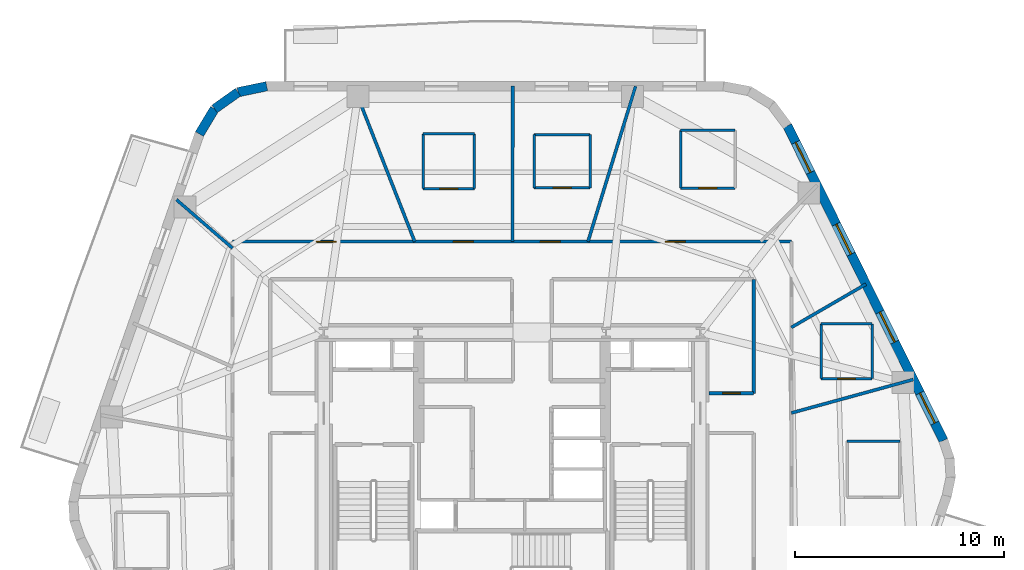
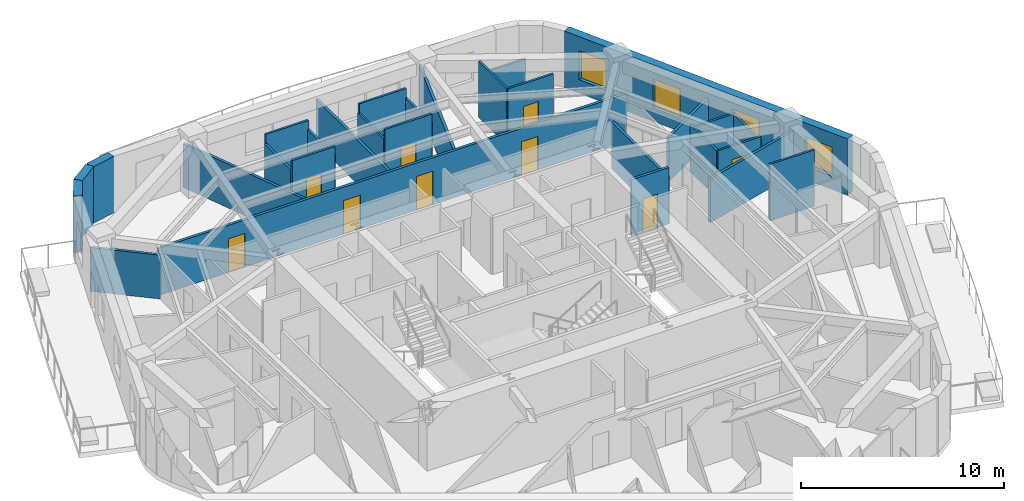
# One storey, part 6 of 11: 29 walls, 9 doors, 4 windows, 13 openings.
"""IFC4 building model written with IfcOpenShell, lengths in metres."""

from ifc_helpers import new_model, si_unit, direction, frame, frame_2d, origin, place, context, subcontext, project, spatial, rectangle, extrude, material, layer, layer_set, type_object, element, fill, save


model = new_model("IFC4")

# Units and contexts
model_context = context("Model", 3, precision=1e-05, world=origin(), true_north=direction((0.0, 1.0)))
body_context = subcontext(model_context, "Body", "Model", "MODEL_VIEW")
ifc_project = project(units=[si_unit("LENGTHUNIT", "METRE"), si_unit("AREAUNIT", "SQUARE_METRE"), si_unit("VOLUMEUNIT", "CUBIC_METRE"), si_unit("PLANEANGLEUNIT", "RADIAN"), si_unit("MASSUNIT", "GRAM", prefix="KILO")], contexts=[model_context])

# Site, building, storey
site_placement = place(None, origin())
site = spatial("IfcSite", under=ifc_project, at=site_placement, CompositionType="ELEMENT")
building_placement = place(site_placement, origin())
building = spatial("IfcBuilding", under=site, at=building_placement, Name="Kilnhurst Terrace Hotel", CompositionType="ELEMENT")
storey_placement = place(building_placement, frame((0.0, 0.0, 159.10009765625)))
storey = spatial("IfcBuildingStorey", under=building, at=storey_placement, Name="L39", CompositionType="ELEMENT", Elevation=159.10009765625)

# Walls
ifc_material_1 = material(Name="Precast concrete C40/50", Category="concrete")
ifc_layer_1 = layer(ifc_material_1, 0.449951171875, Name="Precast concrete C40/50")
ifc_layer_set_1 = layer_set([ifc_layer_1], Name="Precast concrete C40/50")
wall_type_1 = type_object("IfcWallType", Name="WL-BRK-450", PredefinedType="SOLIDWALL", material=ifc_layer_set_1)
wall_1_placement = place(storey_placement, frame((-11.720458984375, 19.27490234375, 0.0), z_axis=(0.0, 0.0, 1.0), x_axis=(-0.97893106758, -0.204191001093, 0.0)))
element("IfcWall", 1, at=wall_1_placement, inside=storey, type_object=wall_type_1, Name="L39 Rounded Corner Brick Wall C5.1", PredefinedType="SOLIDWALL", context=body_context, shape_type="SweptSolid", body=[
    extrude(rectangle(XDim=1.400146484375, YDim=0.449951171875, at=frame_2d((0.7001953125, 0.0))), origin(), (0.0, 0.0, 1.0), 3.39990234375),
])
wall_2_placement = place(storey_placement, frame((-13.091064453125, 18.989013671875, 0.0), z_axis=(0.0, 0.0, 1.0), x_axis=(-0.815574637848, -0.578651890258, 0.0)))
element("IfcWall", 2, at=wall_2_placement, inside=storey, type_object=wall_type_1, Name="L39 Rounded Corner Brick Wall C5.2", PredefinedType="SOLIDWALL", context=body_context, shape_type="SweptSolid", body=[
    extrude(rectangle(XDim=1.376708984375, YDim=0.449951171875, at=frame_2d((0.6884765625, 0.0))), origin(), (0.0, 0.0, 1.0), 3.39990234375),
])
wall_3_placement = place(storey_placement, frame((-14.2138671875, 18.1923828125, 0.0), z_axis=(0.0, 0.0, 1.0), x_axis=(-0.516340945502, -0.856383108193, 0.0)))
element("IfcWall", 3, at=wall_3_placement, inside=storey, type_object=wall_type_1, Name="L39 Rounded Corner Brick Wall C5.3", PredefinedType="SOLIDWALL", context=body_context, shape_type="SweptSolid", body=[
    extrude(rectangle(XDim=1.400146484375, YDim=0.449951171875, at=frame_2d((0.7001953125, 0.0))), origin(), (0.0, 0.0, 1.0), 3.39990234375),
])

# Wall, openings, windows
wall_4_placement = place(storey_placement, frame((20.618408203125, 2.343994140625, 0.0), z_axis=(0.0, 0.0, 1.0), x_axis=(-0.444243691097, 0.895905990002, 0.0)))
wall_4 = element("IfcWall", 4, at=wall_4_placement, inside=storey, type_object=wall_type_1, Name="L39 Exterior Brick Facade Wall F3", PredefinedType="SOLIDWALL", context=body_context, shape_type="SweptSolid", body=[
    extrude(rectangle(XDim=16.78369140625, YDim=0.449951171875, at=frame_2d((8.391845703125, 0.0))), origin(), (0.0, 0.0, 1.0), 3.39990234375),
])
opening_1_placement = place(wall_4_placement, frame((5.2451171875, 0.0, 0.800048828125)))
opening_1 = element("IfcOpeningElement", 5, at=opening_1_placement, cuts=wall_4, Name="Opening W-05", PredefinedType="OPENING", context=body_context, shape_type="SweptSolid", body=[
    extrude(rectangle(XDim=1.60009765625, YDim=1.75, at=frame_2d((0.800048828125, 0.875))), frame((0.0, 0.23486328125, 0.0), z_axis=(0.0, -1.0, 0.0), x_axis=(1.0, 0.0, 0.0)), (0.0, 0.0, 1.0), 0.469970703125),
])
opening_2_placement = place(wall_4_placement, frame((9.93603515625, 0.0, 0.800048828125)))
opening_2 = element("IfcOpeningElement", 6, at=opening_2_placement, cuts=wall_4, Name="Opening W-05", PredefinedType="OPENING", context=body_context, shape_type="SweptSolid", body=[
    extrude(rectangle(XDim=1.60009765625, YDim=1.75, at=frame_2d((0.800048828125, 0.875))), frame((0.0, 0.23486328125, 0.0), z_axis=(0.0, -1.0, 0.0), x_axis=(1.0, 0.0, 0.0)), (0.0, 0.0, 1.0), 0.469970703125),
])
opening_3_placement = place(wall_4_placement, frame((14.302978515625, 0.0, 0.800048828125)))
opening_3 = element("IfcOpeningElement", 7, at=opening_3_placement, cuts=wall_4, Name="Opening W-05", PredefinedType="OPENING", context=body_context, shape_type="SweptSolid", body=[
    extrude(rectangle(XDim=1.60009765625, YDim=1.75, at=frame_2d((0.800048828125, 0.875))), frame((0.0, 0.23486328125, 0.0), z_axis=(0.0, -1.0, 0.0), x_axis=(1.0, 0.0, 0.0)), (0.0, 0.0, 1.0), 0.469970703125),
])
opening_4_placement = place(wall_4_placement, frame((0.930908203125, 0.0, 0.800048828125)))
opening_4 = element("IfcOpeningElement", 8, at=opening_4_placement, cuts=wall_4, Name="Opening W-05", PredefinedType="OPENING", context=body_context, shape_type="SweptSolid", body=[
    extrude(rectangle(XDim=1.60009765625, YDim=1.75, at=frame_2d((0.800048828125, 0.875))), frame((0.0, 0.23486328125, 0.0), z_axis=(0.0, -1.0, 0.0), x_axis=(1.0, 0.0, 0.0)), (0.0, 0.0, 1.0), 0.469970703125),
])
ifc_material_2 = material(Name="Thermally Broken Bronze Aluminium Alloy 6063-T6 and Low-E Glass", Category="aluminium")
window_type = type_object("IfcWindowType", Name="WIN-1600X1750", PartitioningType="SINGLE_PANEL", PredefinedType="WINDOW", material=ifc_material_2)
window_1_placement = place(opening_1_placement, origin())
window_1 = element("IfcWindow", 9, at=window_1_placement, inside=storey, type_object=window_type, Name="L39 Deep-Set Masonry Window F3.1", OverallHeight=1.75, OverallWidth=1.60009765625, PartitioningType="SINGLE_PANEL", PredefinedType="WINDOW", context=body_context, shape_type="SweptSolid", body=[
    extrude(rectangle(XDim=1.60009765625, YDim=1.75, at=frame_2d((0.800048828125, 0.875))), frame((0.0, 0.030029296875, 0.0), z_axis=(0.0, -1.0, 0.0), x_axis=(1.0, 0.0, 0.0)), (0.0, 0.0, 1.0), 0.06005859375),
])
fill(opening_1, window_1)
window_2_placement = place(opening_2_placement, origin())
window_2 = element("IfcWindow", 10, at=window_2_placement, inside=storey, type_object=window_type, Name="L39 Deep-Set Masonry Window F3.2", OverallHeight=1.75, OverallWidth=1.60009765625, PartitioningType="SINGLE_PANEL", PredefinedType="WINDOW", context=body_context, shape_type="SweptSolid", body=[
    extrude(rectangle(XDim=1.60009765625, YDim=1.75, at=frame_2d((0.800048828125, 0.875))), frame((0.0, 0.030029296875, 0.0), z_axis=(0.0, -1.0, 0.0), x_axis=(1.0, 0.0, 0.0)), (0.0, 0.0, 1.0), 0.06005859375),
])
fill(opening_2, window_2)
window_3_placement = place(opening_3_placement, origin())
window_3 = element("IfcWindow", 11, at=window_3_placement, inside=storey, type_object=window_type, Name="L39 Deep-Set Masonry Window F3.3", OverallHeight=1.75, OverallWidth=1.60009765625, PartitioningType="SINGLE_PANEL", PredefinedType="WINDOW", context=body_context, shape_type="SweptSolid", body=[
    extrude(rectangle(XDim=1.60009765625, YDim=1.75, at=frame_2d((0.800048828125, 0.875))), frame((0.0, 0.030029296875, 0.0), z_axis=(0.0, -1.0, 0.0), x_axis=(1.0, 0.0, 0.0)), (0.0, 0.0, 1.0), 0.06005859375),
])
fill(opening_3, window_3)
window_4_placement = place(opening_4_placement, origin())
window_4 = element("IfcWindow", 12, at=window_4_placement, inside=storey, type_object=window_type, Name="L39 Deep-Set Masonry Window F3.4", OverallHeight=1.75, OverallWidth=1.60009765625, PartitioningType="SINGLE_PANEL", PredefinedType="WINDOW", context=body_context, shape_type="SweptSolid", body=[
    extrude(rectangle(XDim=1.60009765625, YDim=1.75, at=frame_2d((0.800048828125, 0.875))), frame((0.0, 0.030029296875, 0.0), z_axis=(0.0, -1.0, 0.0), x_axis=(1.0, 0.0, 0.0)), (0.0, 0.0, 1.0), 0.06005859375),
])
fill(opening_4, window_4)

# Wall, openings, doors
ifc_material_3 = material(Name="Acoustic Double-Gypsum Corridor Partition Assembly")
ifc_layer_2 = layer(ifc_material_3, 0.14990234375, Name="Acoustic Double-Gypsum Corridor Partition Assembly")
ifc_layer_set_2 = layer_set([ifc_layer_2], Name="Acoustic Double-Gypsum Corridor Partition Assembly")
wall_type_2 = type_object("IfcWallType", Name="WL-COR-150", PredefinedType="PARTITIONING", material=ifc_layer_set_2)
wall_5_placement = place(storey_placement, frame((-13.35009765625, 11.85009765625, 0.0), z_axis=(0.0, 0.0, 1.0), x_axis=(1.0, 0.0, 0.0)))
wall_5 = element("IfcWall", 13, at=wall_5_placement, inside=storey, type_object=wall_type_2, Name="L39 Interior Wall WL-L39-COR-03", PredefinedType="PARTITIONING", context=body_context, shape_type="SweptSolid", body=[
    extrude(rectangle(XDim=26.7001953125, YDim=0.14990234375, at=frame_2d((13.35009765625, 0.0))), origin(), (0.0, 0.0, 1.0), 2.83984375),
])
opening_5_placement = place(wall_5_placement, frame((20.681884765625, 0.0, 0.0)))
opening_5 = element("IfcOpeningElement", 14, at=opening_5_placement, cuts=wall_5, Name="Opening D-60B", PredefinedType="OPENING", context=body_context, shape_type="SweptSolid", body=[
    extrude(rectangle(XDim=0.949951171875, YDim=2.030029296875, at=frame_2d((0.47509765625, 1.01513671875))), frame((0.0, 0.0849609375, 0.0), z_axis=(0.0, -1.0, 0.0), x_axis=(1.0, 0.0, 0.0)), (0.0, 0.0, 1.0), 0.169921875),
])
opening_6_placement = place(wall_5_placement, frame((14.7080078125, 0.0, 0.0)))
opening_6 = element("IfcOpeningElement", 15, at=opening_6_placement, cuts=wall_5, Name="Opening D-60B", PredefinedType="OPENING", context=body_context, shape_type="SweptSolid", body=[
    extrude(rectangle(XDim=0.949951171875, YDim=2.030029296875, at=frame_2d((0.47509765625, 1.01513671875))), frame((0.0, 0.0849609375, 0.0), z_axis=(0.0, -1.0, 0.0), x_axis=(1.0, 0.0, 0.0)), (0.0, 0.0, 1.0), 0.169921875),
])
opening_7_placement = place(wall_5_placement, frame((10.552978515625, 0.0, 0.0)))
opening_7 = element("IfcOpeningElement", 16, at=opening_7_placement, cuts=wall_5, Name="Opening D-60B", PredefinedType="OPENING", context=body_context, shape_type="SweptSolid", body=[
    extrude(rectangle(XDim=0.949951171875, YDim=2.030029296875, at=frame_2d((0.47509765625, 1.01513671875))), frame((0.0, 0.0849609375, 0.0), z_axis=(0.0, -1.0, 0.0), x_axis=(1.0, 0.0, 0.0)), (0.0, 0.0, 1.0), 0.169921875),
])
opening_8_placement = place(wall_5_placement, frame((3.9951171875, 0.0, 0.0)))
opening_8 = element("IfcOpeningElement", 17, at=opening_8_placement, cuts=wall_5, Name="Opening D-60B", PredefinedType="OPENING", context=body_context, shape_type="SweptSolid", body=[
    extrude(rectangle(XDim=0.949951171875, YDim=2.030029296875, at=frame_2d((0.47509765625, 1.01513671875))), frame((0.0, 0.0849609375, 0.0), z_axis=(0.0, -1.0, 0.0), x_axis=(1.0, 0.0, 0.0)), (0.0, 0.0, 1.0), 0.169921875),
])
ifc_material_4 = material(Name="Acoustic Walnut Veneer Solid-Core Fire Door")
door_type_1 = type_object("IfcDoorType", Name="DR-FD60-950", OperationType="NOTDEFINED", PredefinedType="DOOR", material=ifc_material_4)
door_1_placement = place(opening_5_placement, origin())
door_1 = element("IfcDoor", 18, at=door_1_placement, inside=storey, type_object=door_type_1, Name="L39 Executive Suite Entry Door 3", OperationType="SINGLE_SWING_LEFT", OverallHeight=2.030029296875, OverallWidth=0.949951171875, PredefinedType="DOOR", context=body_context, shape_type="SweptSolid", body=[
    extrude(rectangle(XDim=0.949951171875, YDim=2.030029296875, at=frame_2d((0.47509765625, 1.01513671875))), frame((0.0, 0.02490234375, 0.0), z_axis=(0.0, -1.0, 0.0), x_axis=(1.0, 0.0, 0.0)), (0.0, 0.0, 1.0), 0.050048828125),
])
fill(opening_5, door_1)
door_2_placement = place(opening_6_placement, origin())
door_2 = element("IfcDoor", 19, at=door_2_placement, inside=storey, type_object=door_type_1, Name="L39 Guest Room Entry Door 4", OperationType="SINGLE_SWING_RIGHT", OverallHeight=2.030029296875, OverallWidth=0.949951171875, PredefinedType="DOOR", context=body_context, shape_type="SweptSolid", body=[
    extrude(rectangle(XDim=0.949951171875, YDim=2.030029296875, at=frame_2d((0.47509765625, 1.01513671875))), frame((0.0, 0.02490234375, 0.0), z_axis=(0.0, -1.0, 0.0), x_axis=(1.0, 0.0, 0.0)), (0.0, 0.0, 1.0), 0.050048828125),
])
fill(opening_6, door_2)
door_3_placement = place(opening_7_placement, origin())
door_3 = element("IfcDoor", 20, at=door_3_placement, inside=storey, type_object=door_type_1, Name="L39 Guest Room Entry Door 5", OperationType="SINGLE_SWING_LEFT", OverallHeight=2.030029296875, OverallWidth=0.949951171875, PredefinedType="DOOR", context=body_context, shape_type="SweptSolid", body=[
    extrude(rectangle(XDim=0.949951171875, YDim=2.030029296875, at=frame_2d((0.47509765625, 1.01513671875))), frame((0.0, 0.02490234375, 0.0), z_axis=(0.0, -1.0, 0.0), x_axis=(1.0, 0.0, 0.0)), (0.0, 0.0, 1.0), 0.050048828125),
])
fill(opening_7, door_3)
door_4_placement = place(opening_8_placement, origin())
door_4 = element("IfcDoor", 21, at=door_4_placement, inside=storey, type_object=door_type_1, Name="L39 Private Dining Room Door", OperationType="SINGLE_SWING_RIGHT", OverallHeight=2.030029296875, OverallWidth=0.949951171875, PredefinedType="DOOR", context=body_context, shape_type="SweptSolid", body=[
    extrude(rectangle(XDim=0.949951171875, YDim=2.030029296875, at=frame_2d((0.47509765625, 1.01513671875))), frame((0.0, 0.02490234375, 0.0), z_axis=(0.0, -1.0, 0.0), x_axis=(1.0, 0.0, 0.0)), (0.0, 0.0, 1.0), 0.050048828125),
])
fill(opening_8, door_4)

# Wall, opening, door
wall_6_placement = place(storey_placement, frame((9.425048828125, 4.60009765625, 0.0), z_axis=(0.0, 0.0, 1.0), x_axis=(1.0, 0.0, 0.0)))
wall_6 = element("IfcWall", 22, at=wall_6_placement, inside=storey, type_object=wall_type_2, Name="L39 Interior Wall WL-L39-COR-07", PredefinedType="PARTITIONING", context=body_context, shape_type="SweptSolid", body=[
    extrude(rectangle(XDim=2.125, YDim=0.14990234375, at=frame_2d((1.0625, 0.0))), origin(), (0.0, 0.0, 1.0), 3.39990234375),
])
opening_9_placement = place(wall_6_placement, frame((0.636962890625, 0.0, 0.0)))
opening_9 = element("IfcOpeningElement", 23, at=opening_9_placement, cuts=wall_6, Name="Opening D-60D", PredefinedType="OPENING", context=body_context, shape_type="SweptSolid", body=[
    extrude(rectangle(XDim=0.85009765625, YDim=2.030029296875, at=frame_2d((0.425048828125, 1.01513671875))), frame((0.0, 0.0849609375, 0.0), z_axis=(0.0, -1.0, 0.0), x_axis=(1.0, 0.0, 0.0)), (0.0, 0.0, 1.0), 0.169921875),
])
ifc_material_5 = material(Name="Painted Hollow Metal Steel ASTM A36 Riser Door", Category="steel")
door_type_2 = type_object("IfcDoorType", Name="DR-FD60-850", OperationType="NOTDEFINED", PredefinedType="DOOR", material=ifc_material_5)
door_5_placement = place(opening_9_placement, origin())
door_5 = element("IfcDoor", 24, at=door_5_placement, inside=storey, type_object=door_type_2, Name="L39 Floor Beverage Service Room Door", OperationType="SINGLE_SWING_LEFT", OverallHeight=2.030029296875, OverallWidth=0.85009765625, PredefinedType="DOOR", context=body_context, shape_type="SweptSolid", body=[
    extrude(rectangle(XDim=0.85009765625, YDim=2.030029296875, at=frame_2d((0.425048828125, 1.01513671875))), frame((0.0, 0.02490234375, 0.0), z_axis=(0.0, -1.0, 0.0), x_axis=(1.0, 0.0, 0.0)), (0.0, 0.0, 1.0), 0.050048828125),
])
fill(opening_9, door_5)

# Walls
wall_7_placement = place(storey_placement, frame((11.550048828125, 4.60009765625, 0.0), z_axis=(0.0, 0.0, 1.0), x_axis=(0.0, 1.0, 0.0)))
element("IfcWall", 25, at=wall_7_placement, inside=storey, type_object=wall_type_2, Name="L39 Interior Wall WL-L39-COR-08", PredefinedType="PARTITIONING", context=body_context, shape_type="SweptSolid", body=[
    extrude(rectangle(XDim=5.449951171875, YDim=0.14990234375, at=frame_2d((2.72509765625, 0.0))), origin(), (0.0, 0.0, 1.0), 2.83984375),
])
ifc_material_6 = material(Name="STC-58 Acoustic Twin-Frame Guestroom Demising Partition")
ifc_layer_3 = layer(ifc_material_6, 0.14990234375, Name="STC-58 Acoustic Twin-Frame Guestroom Demising Partition")
ifc_layer_set_3 = layer_set([ifc_layer_3], Name="STC-58 Acoustic Twin-Frame Guestroom Demising Partition")
wall_type_3 = type_object("IfcWallType", Name="WL-DEM-150", PredefinedType="PARTITIONING", material=ifc_layer_set_3)
wall_8_placement = place(storey_placement, frame((13.35009765625, 3.66064453125, 0.0), z_axis=(0.0, 0.0, 1.0), x_axis=(0.964397145454, 0.264458211898, 0.0)))
element("IfcWall", 26, at=wall_8_placement, inside=storey, type_object=wall_type_3, Name="L39 Interior Wall WL-L39-DEM-COL01-01-1", PredefinedType="PARTITIONING", context=body_context, shape_type="SweptSolid", body=[
    extrude(rectangle(XDim=6.03857421875, YDim=0.14990234375, at=frame_2d((3.019287109375, 0.0))), origin(), (0.0, 0.0, 1.0), 2.639892578125),
])
wall_9_placement = place(storey_placement, frame((13.35009765625, 7.74755859375, 0.0), z_axis=(0.0, 0.0, 1.0), x_axis=(0.864894342526, 0.501953958313, 0.0)))
element("IfcWall", 27, at=wall_9_placement, inside=storey, type_object=wall_type_3, Name="L39 Interior Wall WL-L39-DEM-MID01-02-1", PredefinedType="PARTITIONING", context=body_context, shape_type="SweptSolid", body=[
    extrude(rectangle(XDim=4.1201171875, YDim=0.14990234375, at=frame_2d((2.06005859375, 0.0))), origin(), (0.0, 0.0, 1.0), 2.639892578125),
])
wall_10_placement = place(storey_placement, frame((3.63134765625, 11.85009765625, 0.0), z_axis=(0.0, 0.0, 1.0), x_axis=(0.293007573338, 0.956110120209, 0.0)))
element("IfcWall", 28, at=wall_10_placement, inside=storey, type_object=wall_type_3, Name="L39 Interior Wall WL-L39-DEM-COL03-04-1", PredefinedType="PARTITIONING", context=body_context, shape_type="SweptSolid", body=[
    extrude(rectangle(XDim=7.765625, YDim=0.14990234375, at=frame_2d((3.8828125, 0.0))), origin(), (0.0, 0.0, 1.0), 2.639892578125),
])
wall_11_placement = place(storey_placement, frame((0.023681640625, 11.85009765625, 0.0), z_axis=(0.0, 0.0, 1.0), x_axis=(0.001972901592, 0.999998053828, 0.0)))
element("IfcWall", 29, at=wall_11_placement, inside=storey, type_object=wall_type_3, Name="L39 Interior Wall WL-L39-DEM-MID03-05-1", PredefinedType="PARTITIONING", context=body_context, shape_type="SweptSolid", body=[
    extrude(rectangle(XDim=7.4248046875, YDim=0.14990234375, at=frame_2d((3.71240234375, 0.0))), origin(), (0.0, 0.0, 1.0), 2.639892578125),
])
wall_12_placement = place(storey_placement, frame((-4.64990234375, 11.85009765625, 0.0), z_axis=(0.0, 0.0, 1.0), x_axis=(-0.365265947993, 0.930903210456, 0.0)))
element("IfcWall", 30, at=wall_12_placement, inside=storey, type_object=wall_type_3, Name="L39 Interior Wall WL-L39-DEM-COL04-06-1", PredefinedType="PARTITIONING", context=body_context, shape_type="SweptSolid", body=[
    extrude(rectangle(XDim=7.975830078125, YDim=0.14990234375, at=frame_2d((3.98779296875, 0.0))), origin(), (0.0, 0.0, 1.0), 2.639892578125),
])
wall_13_placement = place(storey_placement, frame((-13.35009765625, 11.53271484375, 0.0), z_axis=(0.0, 0.0, 1.0), x_axis=(-0.756711647314, 0.65374879183, 0.0)))
element("IfcWall", 31, at=wall_13_placement, inside=storey, type_object=wall_type_3, Name="L39 Interior Wall WL-L39-DEM-COL05-07-1", PredefinedType="PARTITIONING", context=body_context, shape_type="SweptSolid", body=[
    extrude(rectangle(XDim=3.549560546875, YDim=0.14990234375, at=frame_2d((1.77490234375, 0.0))), origin(), (0.0, 0.0, 1.0), 2.639892578125),
])

# Wall, opening, door
ifc_material_7 = material(Name="120 mm Moisture-Resistant Tile-Backed Bathroom Partition")
ifc_layer_4 = layer(ifc_material_7, 0.1201171875, Name="120 mm Moisture-Resistant Tile-Backed Bathroom Partition")
ifc_layer_set_4 = layer_set([ifc_layer_4], Name="120 mm Moisture-Resistant Tile-Backed Bathroom Partition")
wall_type_4 = type_object("IfcWallType", Name="WL-PART-120", PredefinedType="PARTITIONING", material=ifc_layer_set_4)
wall_14_placement = place(storey_placement, frame((14.77001953125, 5.305908203125, 0.0), z_axis=(0.0, 0.0, 1.0), x_axis=(1.0, 0.0, 0.0)))
wall_14 = element("IfcWall", 32, at=wall_14_placement, inside=storey, type_object=wall_type_4, Name="L39 Interior Wall WL-L39-BTH-01-1", PredefinedType="PARTITIONING", context=body_context, shape_type="SweptSolid", body=[
    extrude(rectangle(XDim=2.43994140625, YDim=0.1201171875, at=frame_2d((1.219970703125, 0.0))), origin(), (0.0, 0.0, 1.0), 2.83984375),
])
opening_10_placement = place(wall_14_placement, frame((0.794921875, 0.0, 0.0)))
opening_10 = element("IfcOpeningElement", 33, at=opening_10_placement, cuts=wall_14, Name="Opening D-08A", PredefinedType="OPENING", context=body_context, shape_type="SweptSolid", body=[
    extrude(rectangle(XDim=0.85009765625, YDim=2.030029296875, at=frame_2d((0.425048828125, 1.01513671875))), frame((0.0, 0.070068359375, 0.0), z_axis=(0.0, -1.0, 0.0), x_axis=(1.0, 0.0, 0.0)), (0.0, 0.0, 1.0), 0.14013671875),
])
ifc_material_8 = material(Name="Moisture-Resistant Lacquered En-suite Bathroom Door")
door_type_3 = type_object("IfcDoorType", Name="DR-INT-850", OperationType="NOTDEFINED", PredefinedType="DOOR", material=ifc_material_8)
door_6_placement = place(opening_10_placement, origin())
door_6 = element("IfcDoor", 34, at=door_6_placement, inside=storey, type_object=door_type_3, Name="L39 En-suite Bathroom Door 1", OperationType="SINGLE_SWING_RIGHT", OverallHeight=2.030029296875, OverallWidth=0.85009765625, PredefinedType="DOOR", context=body_context, shape_type="SweptSolid", body=[
    extrude(rectangle(XDim=0.85009765625, YDim=2.030029296875, at=frame_2d((0.425048828125, 1.01513671875))), frame((0.0, 0.02490234375, 0.0), z_axis=(0.0, -1.0, 0.0), x_axis=(1.0, 0.0, 0.0)), (0.0, 0.0, 1.0), 0.050048828125),
])
fill(opening_10, door_6)

# Walls
wall_15_placement = place(storey_placement, frame((17.2099609375, 5.305908203125, 0.0), z_axis=(0.0, 0.0, 1.0), x_axis=(0.0, 1.0, 0.0)))
element("IfcWall", 35, at=wall_15_placement, inside=storey, type_object=wall_type_4, Name="L39 Interior Wall WL-L39-BTH-01-2", PredefinedType="PARTITIONING", context=body_context, shape_type="SweptSolid", body=[
    extrude(rectangle(XDim=2.610107421875, YDim=0.1201171875, at=frame_2d((1.30517578125, 0.0))), origin(), (0.0, 0.0, 1.0), 2.639892578125),
])
wall_16_placement = place(storey_placement, frame((17.2099609375, 7.916015625, 0.0), z_axis=(0.0, 0.0, 1.0), x_axis=(-1.0, 0.0, 0.0)))
element("IfcWall", 36, at=wall_16_placement, inside=storey, type_object=wall_type_4, Name="L39 Interior Wall WL-L39-BTH-01-3", PredefinedType="PARTITIONING", context=body_context, shape_type="SweptSolid", body=[
    extrude(rectangle(XDim=2.43994140625, YDim=0.1201171875, at=frame_2d((1.219970703125, 0.0))), origin(), (0.0, 0.0, 1.0), 2.639892578125),
])
wall_17_placement = place(storey_placement, frame((14.77001953125, 7.916015625, 0.0), z_axis=(0.0, 0.0, 1.0), x_axis=(0.0, -1.0, 0.0)))
element("IfcWall", 37, at=wall_17_placement, inside=storey, type_object=wall_type_4, Name="L39 Interior Wall WL-L39-BTH-01-4", PredefinedType="PARTITIONING", context=body_context, shape_type="SweptSolid", body=[
    extrude(rectangle(XDim=2.610107421875, YDim=0.1201171875, at=frame_2d((1.30517578125, 0.0))), origin(), (0.0, 0.0, 1.0), 2.83984375),
])

# Wall, opening, door
wall_18_placement = place(storey_placement, frame((8.05810546875, 14.410888671875, 0.0), z_axis=(0.0, 0.0, 1.0), x_axis=(1.0, 0.0, 0.0)))
wall_18 = element("IfcWall", 38, at=wall_18_placement, inside=storey, type_object=wall_type_4, Name="L39 Interior Wall WL-L39-BTH-03-1", PredefinedType="PARTITIONING", context=body_context, shape_type="SweptSolid", body=[
    extrude(rectangle(XDim=2.599853515625, YDim=0.1201171875, at=frame_2d((1.2998046875, 0.0))), origin(), (0.0, 0.0, 1.0), 3.39990234375),
])
opening_11_placement = place(wall_18_placement, frame((0.875, 0.0, 0.0)))
opening_11 = element("IfcOpeningElement", 39, at=opening_11_placement, cuts=wall_18, Name="Opening D-08A", PredefinedType="OPENING", context=body_context, shape_type="SweptSolid", body=[
    extrude(rectangle(XDim=0.85009765625, YDim=2.030029296875, at=frame_2d((0.425048828125, 1.01513671875))), frame((0.0, 0.070068359375, 0.0), z_axis=(0.0, -1.0, 0.0), x_axis=(1.0, 0.0, 0.0)), (0.0, 0.0, 1.0), 0.14013671875),
])
door_7_placement = place(opening_11_placement, origin())
door_7 = element("IfcDoor", 40, at=door_7_placement, inside=storey, type_object=door_type_3, Name="L39 En-suite Bathroom Door 3", OperationType="SINGLE_SWING_RIGHT", OverallHeight=2.030029296875, OverallWidth=0.85009765625, PredefinedType="DOOR", context=body_context, shape_type="SweptSolid", body=[
    extrude(rectangle(XDim=0.85009765625, YDim=2.030029296875, at=frame_2d((0.425048828125, 1.01513671875))), frame((0.0, 0.02490234375, 0.0), z_axis=(0.0, -1.0, 0.0), x_axis=(1.0, 0.0, 0.0)), (0.0, 0.0, 1.0), 0.050048828125),
])
fill(opening_11, door_7)

# Walls
wall_19_placement = place(storey_placement, frame((10.657958984375, 17.160888671875, 0.0), z_axis=(0.0, 0.0, 1.0), x_axis=(-1.0, 0.0, 0.0)))
element("IfcWall", 41, at=wall_19_placement, inside=storey, type_object=wall_type_4, Name="L39 Interior Wall WL-L39-BTH-03-3", PredefinedType="PARTITIONING", context=body_context, shape_type="SweptSolid", body=[
    extrude(rectangle(XDim=2.599853515625, YDim=0.1201171875, at=frame_2d((1.2998046875, 0.0))), origin(), (0.0, 0.0, 1.0), 2.639892578125),
])
wall_20_placement = place(storey_placement, frame((8.05810546875, 17.160888671875, 0.0), z_axis=(0.0, 0.0, 1.0), x_axis=(0.0, -1.0, 0.0)))
element("IfcWall", 42, at=wall_20_placement, inside=storey, type_object=wall_type_4, Name="L39 Interior Wall WL-L39-BTH-03-4", PredefinedType="PARTITIONING", context=body_context, shape_type="SweptSolid", body=[
    extrude(rectangle(XDim=2.75, YDim=0.1201171875, at=frame_2d((1.375, 0.0))), origin(), (0.0, 0.0, 1.0), 3.39990234375),
])

# Wall, opening, door
wall_21_placement = place(storey_placement, frame((1.054931640625, 14.41796875, 0.0), z_axis=(0.0, 0.0, 1.0), x_axis=(1.0, 0.0, 0.0)))
wall_21 = element("IfcWall", 43, at=wall_21_placement, inside=storey, type_object=wall_type_4, Name="L39 Interior Wall WL-L39-BTH-04-1", PredefinedType="PARTITIONING", context=body_context, shape_type="SweptSolid", body=[
    extrude(rectangle(XDim=2.68017578125, YDim=0.1201171875, at=frame_2d((1.340087890625, 0.0))), origin(), (0.0, 0.0, 1.0), 3.39990234375),
])
opening_12_placement = place(wall_21_placement, frame((0.9150390625, 0.0, 0.0)))
opening_12 = element("IfcOpeningElement", 44, at=opening_12_placement, cuts=wall_21, Name="Opening D-08A", PredefinedType="OPENING", context=body_context, shape_type="SweptSolid", body=[
    extrude(rectangle(XDim=0.85009765625, YDim=2.030029296875, at=frame_2d((0.425048828125, 1.01513671875))), frame((0.0, 0.070068359375, 0.0), z_axis=(0.0, -1.0, 0.0), x_axis=(1.0, 0.0, 0.0)), (0.0, 0.0, 1.0), 0.14013671875),
])
door_8_placement = place(opening_12_placement, origin())
door_8 = element("IfcDoor", 45, at=door_8_placement, inside=storey, type_object=door_type_3, Name="L39 En-suite Bathroom Door 4", OperationType="SINGLE_SWING_LEFT", OverallHeight=2.030029296875, OverallWidth=0.85009765625, PredefinedType="DOOR", context=body_context, shape_type="SweptSolid", body=[
    extrude(rectangle(XDim=0.85009765625, YDim=2.030029296875, at=frame_2d((0.425048828125, 1.01513671875))), frame((0.0, 0.02490234375, 0.0), z_axis=(0.0, -1.0, 0.0), x_axis=(1.0, 0.0, 0.0)), (0.0, 0.0, 1.0), 0.050048828125),
])
fill(opening_12, door_8)

# Walls
wall_22_placement = place(storey_placement, frame((3.735107421875, 14.41796875, 0.0), z_axis=(0.0, 0.0, 1.0), x_axis=(0.0, 1.0, 0.0)))
element("IfcWall", 46, at=wall_22_placement, inside=storey, type_object=wall_type_4, Name="L39 Interior Wall WL-L39-BTH-04-2", PredefinedType="PARTITIONING", context=body_context, shape_type="SweptSolid", body=[
    extrude(rectangle(XDim=2.5400390625, YDim=0.1201171875, at=frame_2d((1.27001953125, 0.0))), origin(), (0.0, 0.0, 1.0), 2.84033203125),
])
wall_23_placement = place(storey_placement, frame((3.735107421875, 16.9580078125, 0.0), z_axis=(0.0, 0.0, 1.0), x_axis=(-1.0, 0.0, 0.0)))
element("IfcWall", 47, at=wall_23_placement, inside=storey, type_object=wall_type_4, Name="L39 Interior Wall WL-L39-BTH-04-3", PredefinedType="PARTITIONING", context=body_context, shape_type="SweptSolid", body=[
    extrude(rectangle(XDim=2.68017578125, YDim=0.1201171875, at=frame_2d((1.340087890625, 0.0))), origin(), (0.0, 0.0, 1.0), 3.39990234375),
])
wall_24_placement = place(storey_placement, frame((1.054931640625, 16.9580078125, 0.0), z_axis=(0.0, 0.0, 1.0), x_axis=(0.0, -1.0, 0.0)))
element("IfcWall", 48, at=wall_24_placement, inside=storey, type_object=wall_type_4, Name="L39 Interior Wall WL-L39-BTH-04-4", PredefinedType="PARTITIONING", context=body_context, shape_type="SweptSolid", body=[
    extrude(rectangle(XDim=2.5400390625, YDim=0.1201171875, at=frame_2d((1.27001953125, 0.0))), origin(), (0.0, 0.0, 1.0), 2.84033203125),
])

# Wall, opening, door
wall_25_placement = place(storey_placement, frame((-4.242919921875, 14.383056640625, 0.0), z_axis=(0.0, 0.0, 1.0), x_axis=(1.0, 0.0, 0.0)))
wall_25 = element("IfcWall", 49, at=wall_25_placement, inside=storey, type_object=wall_type_4, Name="L39 Interior Wall WL-L39-BTH-05-1", PredefinedType="PARTITIONING", context=body_context, shape_type="SweptSolid", body=[
    extrude(rectangle(XDim=2.43994140625, YDim=0.1201171875, at=frame_2d((1.219970703125, 0.0))), origin(), (0.0, 0.0, 1.0), 3.39990234375),
])
opening_13_placement = place(wall_25_placement, frame((0.794921875, 0.0, 0.0)))
opening_13 = element("IfcOpeningElement", 50, at=opening_13_placement, cuts=wall_25, Name="Opening D-08A", PredefinedType="OPENING", context=body_context, shape_type="SweptSolid", body=[
    extrude(rectangle(XDim=0.85009765625, YDim=2.030029296875, at=frame_2d((0.425048828125, 1.01513671875))), frame((0.0, 0.070068359375, 0.0), z_axis=(0.0, -1.0, 0.0), x_axis=(1.0, 0.0, 0.0)), (0.0, 0.0, 1.0), 0.14013671875),
])
door_9_placement = place(opening_13_placement, origin())
door_9 = element("IfcDoor", 51, at=door_9_placement, inside=storey, type_object=door_type_3, Name="L39 En-suite Bathroom Door 5", OperationType="SINGLE_SWING_RIGHT", OverallHeight=2.030029296875, OverallWidth=0.85009765625, PredefinedType="DOOR", context=body_context, shape_type="SweptSolid", body=[
    extrude(rectangle(XDim=0.85009765625, YDim=2.030029296875, at=frame_2d((0.425048828125, 1.01513671875))), frame((0.0, 0.02490234375, 0.0), z_axis=(0.0, -1.0, 0.0), x_axis=(1.0, 0.0, 0.0)), (0.0, 0.0, 1.0), 0.050048828125),
])
fill(opening_13, door_9)

# Walls
wall_26_placement = place(storey_placement, frame((-1.802978515625, 14.383056640625, 0.0), z_axis=(0.0, 0.0, 1.0), x_axis=(0.0, 1.0, 0.0)))
element("IfcWall", 52, at=wall_26_placement, inside=storey, type_object=wall_type_4, Name="L39 Interior Wall WL-L39-BTH-05-2", PredefinedType="PARTITIONING", context=body_context, shape_type="SweptSolid", body=[
    extrude(rectangle(XDim=2.60986328125, YDim=0.1201171875, at=frame_2d((1.304931640625, 0.0))), origin(), (0.0, 0.0, 1.0), 2.84033203125),
])
wall_27_placement = place(storey_placement, frame((-1.802978515625, 16.992919921875, 0.0), z_axis=(0.0, 0.0, 1.0), x_axis=(-1.0, 0.0, 0.0)))
element("IfcWall", 53, at=wall_27_placement, inside=storey, type_object=wall_type_4, Name="L39 Interior Wall WL-L39-BTH-05-3", PredefinedType="PARTITIONING", context=body_context, shape_type="SweptSolid", body=[
    extrude(rectangle(XDim=2.43994140625, YDim=0.1201171875, at=frame_2d((1.219970703125, 0.0))), origin(), (0.0, 0.0, 1.0), 3.39990234375),
])
wall_28_placement = place(storey_placement, frame((-4.242919921875, 16.992919921875, 0.0), z_axis=(0.0, 0.0, 1.0), x_axis=(0.0, -1.0, 0.0)))
element("IfcWall", 54, at=wall_28_placement, inside=storey, type_object=wall_type_4, Name="L39 Interior Wall WL-L39-BTH-05-4", PredefinedType="PARTITIONING", context=body_context, shape_type="SweptSolid", body=[
    extrude(rectangle(XDim=2.60986328125, YDim=0.1201171875, at=frame_2d((1.304931640625, 0.0))), origin(), (0.0, 0.0, 1.0), 2.84033203125),
])
wall_29_placement = place(storey_placement, frame((18.530029296875, 2.31298828125, 0.0), z_axis=(0.0, 0.0, 1.0), x_axis=(-1.0, 0.0, 0.0)))
element("IfcWall", 55, at=wall_29_placement, inside=storey, type_object=wall_type_4, Name="L39 Interior Wall WL-L39-BTH-18-3", PredefinedType="PARTITIONING", context=body_context, shape_type="SweptSolid", body=[
    extrude(rectangle(XDim=2.52001953125, YDim=0.1201171875, at=frame_2d((1.260009765625, 0.0))), origin(), (0.0, 0.0, 1.0), 3.39990234375),
])

save(model, "model.ifc")
